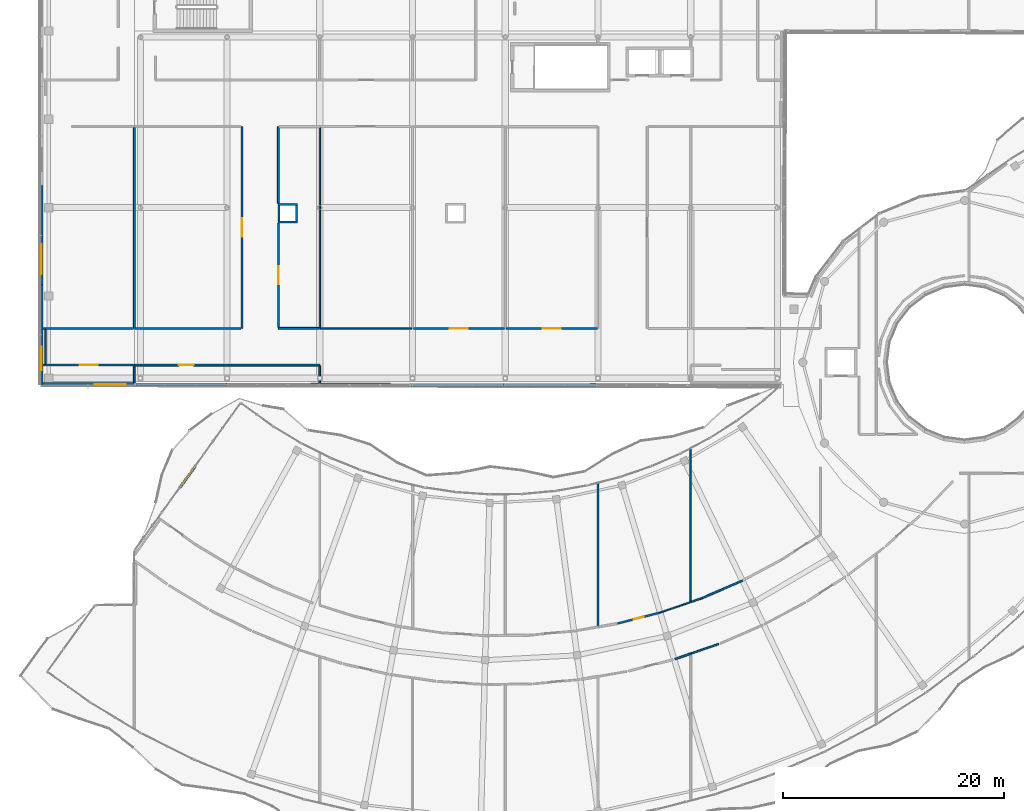
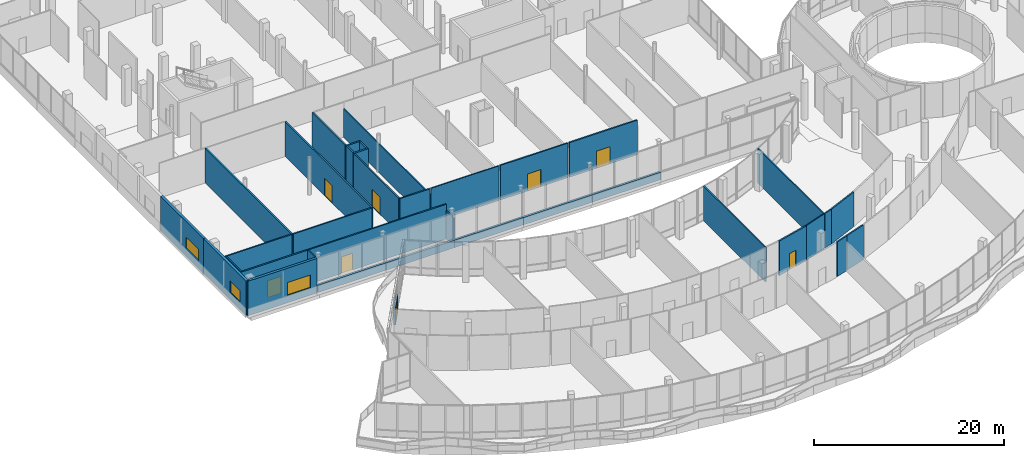
# One storey, part 130 of 155: 37 walls, 8 doors, 3 windows, 11 openings.
"""IFC4 building model written with IfcOpenShell, lengths in metres."""

from ifc_helpers import new_model, si_unit, direction, frame, frame_2d, origin, place, context, subcontext, project, spatial, rectangle, extrude, material, layer, layer_set, type_object, element, fill, save


model = new_model("IFC4")

# Units and contexts
model_context = context("Model", 3, precision=1e-05, world=origin(), true_north=direction((0.0, 1.0)))
body_context = subcontext(model_context, "Body", "Model", "MODEL_VIEW")
ifc_project = project(units=[si_unit("LENGTHUNIT", "METRE"), si_unit("AREAUNIT", "SQUARE_METRE"), si_unit("VOLUMEUNIT", "CUBIC_METRE"), si_unit("PLANEANGLEUNIT", "RADIAN"), si_unit("MASSUNIT", "GRAM", prefix="KILO")], contexts=[model_context])

# Site, building, storey
site_placement = place(None, origin())
site = spatial("IfcSite", under=ifc_project, at=site_placement, CompositionType="ELEMENT")
building_placement = place(site_placement, origin())
building = spatial("IfcBuilding", under=site, at=building_placement, Name="Selatvlak General Hospital", CompositionType="ELEMENT")
storey_placement = place(building_placement, frame((0.0, 0.0, 10.199951171875)))
storey = spatial("IfcBuildingStorey", under=building, at=storey_placement, Name="L02", CompositionType="ELEMENT", Elevation=10.199951171875)

# Wall, opening, window
ifc_material_1 = material(Name="Precast concrete C40/50 - white fair-faced", Category="concrete")
ifc_layer_1 = layer(ifc_material_1, 0.300048828125, Name="Precast concrete C40/50 - white fair-faced", Category="concrete")
ifc_layer_set_1 = layer_set([ifc_layer_1], Name="Precast concrete C40/50 - white fair-faced")
wall_type_1 = type_object("IfcWallType", Name="WALL-EW-01", PredefinedType="SOLIDWALL", material=ifc_layer_set_1)
wall_1_placement = place(storey_placement, frame((14.39990234375, 52.0, 0.0), z_axis=(0.0, 0.0, 1.0), x_axis=(0.0, 1.0, 0.0)))
wall_1 = element("IfcWall", 1, at=wall_1_placement, inside=storey, type_object=wall_type_1, Name="L02 exterior wall 0283", PredefinedType="SOLIDWALL", context=body_context, shape_type="SweptSolid", body=[
    extrude(rectangle(XDim=9.0, YDim=0.300048828125, at=frame_2d((4.5, 0.0))), origin(), (0.0, 0.0, 1.0), 4.4599609375),
])
opening_1_placement = place(wall_1_placement, frame((1.2900390625, 0.0, 0.9599609375)))
opening_1 = element("IfcOpeningElement", 2, at=opening_1_placement, cuts=wall_1, Name="Opening WN-06", PredefinedType="OPENING", context=body_context, shape_type="SweptSolid", body=[
    extrude(rectangle(XDim=2.10009765625, YDim=1.5, at=frame_2d((1.050048828125, 0.75))), frame((0.0, 0.159912109375, 0.0), z_axis=(0.0, -1.0, 0.0), x_axis=(1.0, 0.0, 0.0)), (0.0, 0.0, 1.0), 0.320068359375),
])
ifc_material_2 = material(Name="Thermally broken aluminium Low-E window", Category="aluminium")
window_type_1 = type_object("IfcWindowType", Name="WIN-WN-06", PartitioningType="SINGLE_PANEL", PredefinedType="WINDOW", material=ifc_material_2)
window_1_placement = place(opening_1_placement, origin())
window_1 = element("IfcWindow", 3, at=window_1_placement, inside=storey, type_object=window_type_1, Name="L02 Bauhaus ribbon window 0035", OverallHeight=1.5, OverallWidth=2.10009765625, PartitioningType="SINGLE_PANEL", PredefinedType="WINDOW", context=body_context, shape_type="SweptSolid", body=[
    extrude(rectangle(XDim=2.10009765625, YDim=1.5, at=frame_2d((1.050048828125, 0.75))), frame((0.0, 0.030029296875, 0.0), z_axis=(0.0, -1.0, 0.0), x_axis=(1.0, 0.0, 0.0)), (0.0, 0.0, 1.0), 0.06005859375),
])
fill(opening_1, window_1)

wall_2_placement = place(storey_placement, frame((14.39990234375, 61.0, 0.0), z_axis=(0.0, 0.0, 1.0), x_axis=(0.0, 1.0, 0.0)))
wall_2 = element("IfcWall", 4, at=wall_2_placement, inside=storey, type_object=wall_type_1, Name="L02 exterior wall 0284", PredefinedType="SOLIDWALL", context=body_context, shape_type="SweptSolid", body=[
    extrude(rectangle(XDim=8.9990234375, YDim=0.300048828125, at=frame_2d((4.49951171875, 0.0))), origin(), (0.0, 0.0, 1.0), 4.4599609375),
])
opening_2_placement = place(wall_2_placement, frame((0.989990234375, 0.0, 0.9599609375)))
opening_2 = element("IfcOpeningElement", 5, at=opening_2_placement, cuts=wall_2, Name="Opening WN-08", PredefinedType="OPENING", context=body_context, shape_type="SweptSolid", body=[
    extrude(rectangle(XDim=2.699951171875, YDim=1.5, at=frame_2d((1.35009765625, 0.75))), frame((0.0, 0.159912109375, 0.0), z_axis=(0.0, -1.0, 0.0), x_axis=(1.0, 0.0, 0.0)), (0.0, 0.0, 1.0), 0.320068359375),
])
window_type_2 = type_object("IfcWindowType", Name="WIN-WN-08", PartitioningType="SINGLE_PANEL", PredefinedType="WINDOW", material=ifc_material_2)
window_2_placement = place(opening_2_placement, origin())
window_2 = element("IfcWindow", 6, at=window_2_placement, inside=storey, type_object=window_type_2, Name="L02 Bauhaus ribbon window 0037", OverallHeight=1.5, OverallWidth=2.699951171875, PartitioningType="SINGLE_PANEL", PredefinedType="WINDOW", context=body_context, shape_type="SweptSolid", body=[
    extrude(rectangle(XDim=2.699951171875, YDim=1.5, at=frame_2d((1.35009765625, 0.75))), frame((0.0, 0.030029296875, 0.0), z_axis=(0.0, -1.0, 0.0), x_axis=(1.0, 0.0, 0.0)), (0.0, 0.0, 1.0), 0.06005859375),
])
fill(opening_2, window_2)

wall_3_placement = place(storey_placement, frame((22.80908203125, 52.0, 0.0), z_axis=(0.0, 0.0, 1.0), x_axis=(-1.0, 0.0, 0.0)))
wall_3 = element("IfcWall", 7, at=wall_3_placement, inside=storey, type_object=wall_type_1, Name="L02 exterior wall 0323", PredefinedType="SOLIDWALL", context=body_context, shape_type="SweptSolid", body=[
    extrude(rectangle(XDim=8.4091796875, YDim=0.300048828125, at=frame_2d((4.20458984375, 0.0))), origin(), (0.0, 0.0, 1.0), 4.4599609375),
])
opening_3_placement = place(wall_3_placement, frame((0.785888671875, 0.0, 0.9599609375)))
opening_3 = element("IfcOpeningElement", 8, at=opening_3_placement, cuts=wall_3, Name="Opening WN-14", PredefinedType="OPENING", context=body_context, shape_type="SweptSolid", body=[
    extrude(rectangle(XDim=2.800048828125, YDim=1.64990234375, at=frame_2d((1.39990234375, 0.824951171875))), frame((0.0, 0.159912109375, 0.0), z_axis=(0.0, -1.0, 0.0), x_axis=(1.0, 0.0, 0.0)), (0.0, 0.0, 1.0), 0.320068359375),
])
window_type_3 = type_object("IfcWindowType", Name="WIN-WN-14", PartitioningType="SINGLE_PANEL", PredefinedType="WINDOW", material=ifc_material_2)
window_3_placement = place(opening_3_placement, origin())
window_3 = element("IfcWindow", 9, at=window_3_placement, inside=storey, type_object=window_type_3, Name="L02 Bauhaus ribbon window 0043", OverallHeight=1.64990234375, OverallWidth=2.800048828125, PartitioningType="SINGLE_PANEL", PredefinedType="WINDOW", context=body_context, shape_type="SweptSolid", body=[
    extrude(rectangle(XDim=2.800048828125, YDim=1.64990234375, at=frame_2d((1.39990234375, 0.824951171875))), frame((0.0, 0.030029296875, 0.0), z_axis=(0.0, -1.0, 0.0), x_axis=(1.0, 0.0, 0.0)), (0.0, 0.0, 1.0), 0.06005859375),
])
fill(opening_3, window_3)

# Walls
ifc_material_3 = material(Name="Precast concrete C40/50 - white Bauhaus spandrel", Category="concrete")
ifc_layer_2 = layer(ifc_material_3, 0.280029296875, Name="Precast concrete C40/50 - white Bauhaus spandrel", Category="concrete")
ifc_layer_set_2 = layer_set([ifc_layer_2], Name="Precast concrete C40/50 - white Bauhaus spandrel")
wall_type_2 = type_object("IfcWallType", Name="WALL-EW-02", PredefinedType="SOLIDWALL", material=ifc_layer_set_2)
wall_4_placement = place(storey_placement, frame((64.615966796875, 51.925048828125, 0.0), z_axis=(0.0, 0.0, 1.0), x_axis=(-0.999998412501, 0.001781851468, 0.0)))
element("IfcWall", 10, at=wall_4_placement, inside=storey, type_object=wall_type_2, Name="L02 Bauhaus spandrel sill wall 0318", PredefinedType="SOLIDWALL", context=body_context, shape_type="SweptSolid", body=[
    extrude(rectangle(XDim=8.35791015625, YDim=0.280029296875, at=frame_2d((4.178955078125, 0.0))), origin(), (0.0, 0.0, 1.0), 0.93994140625),
])
wall_5_placement = place(storey_placement, frame((56.25390625, 51.93994140625, 0.0), z_axis=(0.0, 0.0, 1.0), x_axis=(-0.999998359642, 0.001811273687, 0.0)))
element("IfcWall", 11, at=wall_5_placement, inside=storey, type_object=wall_type_2, Name="L02 Bauhaus spandrel sill wall 0319", PredefinedType="SOLIDWALL", context=body_context, shape_type="SweptSolid", body=[
    extrude(rectangle(XDim=8.35693359375, YDim=0.280029296875, at=frame_2d((4.178466796875, 0.0))), origin(), (0.0, 0.0, 1.0), 0.93994140625),
])
wall_6_placement = place(storey_placement, frame((47.89306640625, 51.955078125, 0.0), z_axis=(0.0, 0.0, 1.0), x_axis=(-0.999998412594, 0.001781799421, 0.0)))
element("IfcWall", 12, at=wall_6_placement, inside=storey, type_object=wall_type_2, Name="L02 Bauhaus spandrel sill wall 0320", PredefinedType="SOLIDWALL", context=body_context, shape_type="SweptSolid", body=[
    extrude(rectangle(XDim=8.358154296875, YDim=0.280029296875, at=frame_2d((4.17919921875, 0.0))), origin(), (0.0, 0.0, 1.0), 0.93994140625),
])
wall_7_placement = place(storey_placement, frame((39.531005859375, 51.969970703125, 0.0), z_axis=(0.0, 0.0, 1.0), x_axis=(-0.999998360026, 0.001811062053, 0.0)))
element("IfcWall", 13, at=wall_7_placement, inside=storey, type_object=wall_type_2, Name="L02 Bauhaus spandrel sill wall 0321", PredefinedType="SOLIDWALL", context=body_context, shape_type="SweptSolid", body=[
    extrude(rectangle(XDim=8.35791015625, YDim=0.280029296875, at=frame_2d((4.178955078125, 0.0))), origin(), (0.0, 0.0, 1.0), 0.93994140625),
])
wall_8_placement = place(storey_placement, frame((31.1689453125, 51.985107421875, 0.0), z_axis=(0.0, 0.0, 1.0), x_axis=(-0.999998358775, 0.001811752647, 0.0)))
element("IfcWall", 14, at=wall_8_placement, inside=storey, type_object=wall_type_2, Name="L02 Bauhaus spandrel sill wall 0322", PredefinedType="SOLIDWALL", context=body_context, shape_type="SweptSolid", body=[
    extrude(rectangle(XDim=8.219970703125, YDim=0.280029296875, at=frame_2d((4.10986328125, 0.0))), origin(), (0.0, 0.0, 1.0), 0.93994140625),
])

# Wall, opening, door
ifc_layer_3 = layer(ifc_material_1, 0.239990234375, Name="Precast concrete C40/50 - white fair-faced", Category="concrete")
ifc_layer_set_3 = layer_set([ifc_layer_3], Name="Precast concrete C40/50 - white fair-faced")
wall_type_3 = type_object("IfcWallType", Name="WALL-EW-04", PredefinedType="SOLIDWALL", material=ifc_layer_set_3)
wall_9_placement = place(storey_placement, frame((26.947021484375, 42.672119140625, 0.0), z_axis=(0.0, 0.0, 1.0), x_axis=(0.583485123331, 0.812123827289, 0.0)))
wall_9 = element("IfcWall", 15, at=wall_9_placement, inside=storey, type_object=wall_type_3, Name="L02 S-curve glazed balcony door frame 0315", PredefinedType="SOLIDWALL", context=body_context, shape_type="SweptSolid", body=[
    extrude(rectangle(XDim=2.300048828125, YDim=0.239990234375, at=frame_2d((1.14990234375, 0.0))), origin(), (0.0, 0.0, 1.0), 2.320068359375),
])
opening_4_placement = place(wall_9_placement, frame((0.35009765625, 0.0, 0.0)))
opening_4 = element("IfcOpeningElement", 16, at=opening_4_placement, cuts=wall_9, Name="Opening DE-05", PredefinedType="OPENING", context=body_context, shape_type="SweptSolid", body=[
    extrude(rectangle(XDim=1.60009765625, YDim=2.199951171875, at=frame_2d((0.800048828125, 1.10009765625))), frame((0.0, 0.1298828125, 0.0), z_axis=(0.0, -1.0, 0.0), x_axis=(1.0, 0.0, 0.0)), (0.0, 0.0, 1.0), 0.260009765625),
])
ifc_material_4 = material(Name="Anodised aluminium balcony double door", Category="aluminium")
door_type_1 = type_object("IfcDoorType", Name="DOOR-DE-05", OperationType="DOUBLE_DOOR_SINGLE_SWING", PredefinedType="DOOR", material=ifc_material_4)
door_1_placement = place(opening_4_placement, origin())
door_1 = element("IfcDoor", 17, at=door_1_placement, inside=storey, type_object=door_type_1, Name="L02 clinic balcony double door 25", OperationType="DOUBLE_DOOR_SINGLE_SWING", OverallHeight=2.199951171875, OverallWidth=1.60009765625, PredefinedType="DOOR", context=body_context, shape_type="SweptSolid", body=[
    extrude(rectangle(XDim=1.60009765625, YDim=2.199951171875, at=frame_2d((0.800048828125, 1.10009765625))), frame((0.0, 0.02490234375, 0.0), z_axis=(0.0, -1.0, 0.0), x_axis=(1.0, 0.0, 0.0)), (0.0, 0.0, 1.0), 0.050048828125),
])
fill(opening_4, door_1)

# Walls
ifc_material_5 = material(Name="Concrete C40/50", Category="concrete")
ifc_layer_4 = layer(ifc_material_5, 0.199951171875, Name="Concrete C40/50", Category="concrete")
ifc_layer_set_4 = layer_set([ifc_layer_4], Name="Concrete C40/50")
wall_type_4 = type_object("IfcWallType", Name="WALL-IW-02", PredefinedType="SOLIDWALL", material=ifc_layer_set_4)
wall_10_placement = place(storey_placement, frame((35.800048828125, 66.699951171875, 0.0), z_axis=(0.0, 0.0, 1.0), x_axis=(1.0, 0.0, 0.0)))
element("IfcWall", 18, at=wall_10_placement, inside=storey, type_object=wall_type_4, Name="Service riser 5 shaft wall L02 S", PredefinedType="SOLIDWALL", context=body_context, shape_type="SweptSolid", body=[
    extrude(rectangle(XDim=1.800048828125, YDim=0.199951171875, at=frame_2d((0.89990234375, 0.0))), origin(), (0.0, 0.0, 1.0), 4.4599609375),
])
wall_11_placement = place(storey_placement, frame((37.5, 66.800048828125, 0.0), z_axis=(0.0, 0.0, 1.0), x_axis=(0.0, 1.0, 0.0)))
element("IfcWall", 19, at=wall_11_placement, inside=storey, type_object=wall_type_4, Name="Service riser 5 shaft wall L02 E", PredefinedType="SOLIDWALL", context=body_context, shape_type="SweptSolid", body=[
    extrude(rectangle(XDim=1.39990234375, YDim=0.199951171875, at=frame_2d((0.699951171875, 0.0))), origin(), (0.0, 0.0, 1.0), 4.4599609375),
])
wall_12_placement = place(storey_placement, frame((37.60009765625, 68.300048828125, 0.0), z_axis=(0.0, 0.0, 1.0), x_axis=(-1.0, 0.0, 0.0)))
element("IfcWall", 20, at=wall_12_placement, inside=storey, type_object=wall_type_4, Name="Service riser 5 shaft wall L02 N", PredefinedType="SOLIDWALL", context=body_context, shape_type="SweptSolid", body=[
    extrude(rectangle(XDim=1.800048828125, YDim=0.199951171875, at=frame_2d((0.89990234375, 0.0))), origin(), (0.0, 0.0, 1.0), 4.4599609375),
])
wall_13_placement = place(storey_placement, frame((35.89990234375, 68.199951171875, 0.0), z_axis=(0.0, 0.0, 1.0), x_axis=(0.0, -1.0, 0.0)))
element("IfcWall", 21, at=wall_13_placement, inside=storey, type_object=wall_type_4, Name="Service riser 5 shaft wall L02 W", PredefinedType="SOLIDWALL", context=body_context, shape_type="SweptSolid", body=[
    extrude(rectangle(XDim=1.39990234375, YDim=0.199951171875, at=frame_2d((0.699951171875, 0.0))), origin(), (0.0, 0.0, 1.0), 4.4599609375),
])
ifc_material_6 = material(Name="Acoustic gypsum stud partition")
ifc_layer_5 = layer(ifc_material_6, 0.179931640625, Name="Acoustic gypsum stud partition")
ifc_layer_set_5 = layer_set([ifc_layer_5], Name="Acoustic gypsum stud partition")
wall_type_5 = type_object("IfcWallType", Name="WALL-PT-01", PredefinedType="PARTITIONING", material=ifc_layer_set_5)
wall_14_placement = place(storey_placement, frame((22.800048828125, 75.27587890625, 0.0), z_axis=(0.0, 0.0, 1.0), x_axis=(0.0, -1.0, 0.0)))
element("IfcWall", 22, at=wall_14_placement, inside=storey, type_object=wall_type_5, Name="L02 clinical partition PT-L02-1047", PredefinedType="PARTITIONING", context=body_context, shape_type="SweptSolid", body=[
    extrude(rectangle(XDim=18.2158203125, YDim=0.179931640625, at=frame_2d((9.10791015625, 0.0))), origin(), (0.0, 0.0, 1.0), 4.4599609375),
])

# Wall, opening, door
wall_15_placement = place(storey_placement, frame((14.547119140625, 53.739990234375, 0.0), z_axis=(0.0, 0.0, 1.0), x_axis=(1.0, 0.0, 0.0)))
wall_15 = element("IfcWall", 23, at=wall_15_placement, inside=storey, type_object=wall_type_5, Name="L02 clinical partition PT-L02-1050", PredefinedType="PARTITIONING", context=body_context, shape_type="SweptSolid", body=[
    extrude(rectangle(XDim=8.2529296875, YDim=0.179931640625, at=frame_2d((4.12646484375, 0.0))), origin(), (0.0, 0.0, 1.0), 4.4599609375),
])
opening_5_placement = place(wall_15_placement, frame((3.301025390625, 0.0, 0.0)))
opening_5 = element("IfcOpeningElement", 24, at=opening_5_placement, cuts=wall_15, Name="Opening D-19", PredefinedType="OPENING", context=body_context, shape_type="SweptSolid", body=[
    extrude(rectangle(XDim=1.64990234375, YDim=2.199951171875, at=frame_2d((0.824951171875, 1.10009765625))), frame((0.0, 0.099853515625, 0.0), z_axis=(0.0, -1.0, 0.0), x_axis=(1.0, 0.0, 0.0)), (0.0, 0.0, 1.0), 0.199951171875),
])
ifc_material_7 = material(Name="Hermetic operating theatre sliding door")
door_type_2 = type_object("IfcDoorType", Name="DOOR-D-19", OperationType="DOUBLE_DOOR_SLIDING", PredefinedType="DOOR", material=ifc_material_7)
door_2_placement = place(opening_5_placement, origin())
door_2 = element("IfcDoor", 25, at=door_2_placement, inside=storey, type_object=door_type_2, Name="L02 Operating Theatre 01 door", OperationType="DOUBLE_DOOR_SLIDING", OverallHeight=2.199951171875, OverallWidth=1.64990234375, PredefinedType="DOOR", context=body_context, shape_type="SweptSolid", body=[
    extrude(rectangle(XDim=1.64990234375, YDim=2.199951171875, at=frame_2d((0.824951171875, 1.10009765625))), frame((0.0, 0.02490234375, 0.0), z_axis=(0.0, -1.0, 0.0), x_axis=(1.0, 0.0, 0.0)), (0.0, 0.0, 1.0), 0.050048828125),
])
fill(opening_5, door_2)

wall_16_placement = place(storey_placement, frame((32.5400390625, 75.340087890625, 0.0), z_axis=(0.0, 0.0, 1.0), x_axis=(0.0, -1.0, 0.0)))
wall_16 = element("IfcWall", 26, at=wall_16_placement, inside=storey, type_object=wall_type_5, Name="L02 clinical partition PT-L02-1068", PredefinedType="PARTITIONING", context=body_context, shape_type="SweptSolid", body=[
    extrude(rectangle(XDim=18.280029296875, YDim=0.179931640625, at=frame_2d((9.14013671875, 0.0))), origin(), (0.0, 0.0, 1.0), 4.4599609375),
])
opening_6_placement = place(wall_16_placement, frame((8.31494140625, 0.0, 0.0)))
opening_6 = element("IfcOpeningElement", 27, at=opening_6_placement, cuts=wall_16, Name="Opening D-19", PredefinedType="OPENING", context=body_context, shape_type="SweptSolid", body=[
    extrude(rectangle(XDim=1.64990234375, YDim=2.199951171875, at=frame_2d((0.824951171875, 1.10009765625))), frame((0.0, 0.099853515625, 0.0), z_axis=(0.0, -1.0, 0.0), x_axis=(1.0, 0.0, 0.0)), (0.0, 0.0, 1.0), 0.199951171875),
])
door_3_placement = place(opening_6_placement, origin())
door_3 = element("IfcDoor", 28, at=door_3_placement, inside=storey, type_object=door_type_2, Name="L02 Operating Theatre 04 door", OperationType="DOUBLE_DOOR_SLIDING", OverallHeight=2.199951171875, OverallWidth=1.64990234375, PredefinedType="DOOR", context=body_context, shape_type="SweptSolid", body=[
    extrude(rectangle(XDim=1.64990234375, YDim=2.199951171875, at=frame_2d((0.824951171875, 1.10009765625))), frame((0.0, 0.02490234375, 0.0), z_axis=(0.0, -1.0, 0.0), x_axis=(1.0, 0.0, 0.0)), (0.0, 0.0, 1.0), 0.050048828125),
])
fill(opening_6, door_3)

# Walls
wall_17_placement = place(storey_placement, frame((35.860107421875, 68.39697265625, 0.0), z_axis=(0.0, 0.0, 1.0), x_axis=(0.0, 1.0, 0.0)))
element("IfcWall", 29, at=wall_17_placement, inside=storey, type_object=wall_type_5, Name="L02 clinical partition PT-L02-1071", PredefinedType="PARTITIONING", context=body_context, shape_type="SweptSolid", body=[
    extrude(rectangle(XDim=6.943115234375, YDim=0.179931640625, at=frame_2d((3.4716796875, 0.0))), origin(), (0.0, 0.0, 1.0), 4.4599609375),
])
wall_18_placement = place(storey_placement, frame((39.537109375, 57.06005859375, 0.0), z_axis=(0.0, 0.0, 1.0), x_axis=(-1.0, 0.0, 0.0)))
element("IfcWall", 30, at=wall_18_placement, inside=storey, type_object=wall_type_5, Name="L02 clinical partition PT-L02-1074", PredefinedType="PARTITIONING", context=body_context, shape_type="SweptSolid", body=[
    extrude(rectangle(XDim=3.677001953125, YDim=0.179931640625, at=frame_2d((1.83837890625, 0.0))), origin(), (0.0, 0.0, 1.0), 4.4599609375),
])

# Wall, opening, door
wall_19_placement = place(storey_placement, frame((64.736083984375, 57.06005859375, 0.0), z_axis=(0.0, 0.0, 1.0), x_axis=(-1.0, 0.0, 0.0)))
wall_19 = element("IfcWall", 31, at=wall_19_placement, inside=storey, type_object=wall_type_5, Name="L02 clinical partition PT-L02-1107", PredefinedType="PARTITIONING", context=body_context, shape_type="SweptSolid", body=[
    extrude(rectangle(XDim=8.25, YDim=0.179931640625, at=frame_2d((4.125, 0.0))), origin(), (0.0, 0.0, 1.0), 4.4599609375),
])
opening_7_placement = place(wall_19_placement, frame((3.300048828125, 0.0, 0.0)))
opening_7 = element("IfcOpeningElement", 32, at=opening_7_placement, cuts=wall_19, Name="Opening D-19", PredefinedType="OPENING", context=body_context, shape_type="SweptSolid", body=[
    extrude(rectangle(XDim=1.64990234375, YDim=2.199951171875, at=frame_2d((0.824951171875, 1.10009765625))), frame((0.0, 0.099853515625, 0.0), z_axis=(0.0, -1.0, 0.0), x_axis=(1.0, 0.0, 0.0)), (0.0, 0.0, 1.0), 0.199951171875),
])
door_4_placement = place(opening_7_placement, origin())
door_4 = element("IfcDoor", 33, at=door_4_placement, inside=storey, type_object=door_type_2, Name="L02 Operating Theatre 14 door", OperationType="DOUBLE_DOOR_SLIDING", OverallHeight=2.199951171875, OverallWidth=1.64990234375, PredefinedType="DOOR", context=body_context, shape_type="SweptSolid", body=[
    extrude(rectangle(XDim=1.64990234375, YDim=2.199951171875, at=frame_2d((0.824951171875, 1.10009765625))), frame((0.0, 0.02490234375, 0.0), z_axis=(0.0, -1.0, 0.0), x_axis=(1.0, 0.0, 0.0)), (0.0, 0.0, 1.0), 0.050048828125),
])
fill(opening_7, door_4)

wall_20_placement = place(storey_placement, frame((70.43310546875, 31.327880859375, 0.0), z_axis=(0.0, 0.0, 1.0), x_axis=(-0.968571543656, -0.248735129846, 0.0)))
wall_20 = element("IfcWall", 34, at=wall_20_placement, inside=storey, type_object=wall_type_5, Name="L02 clinical partition PT-L02-1115", PredefinedType="PARTITIONING", context=body_context, shape_type="SweptSolid", body=[
    extrude(rectangle(XDim=3.999755859375, YDim=0.179931640625, at=frame_2d((2.0, 0.0))), origin(), (0.0, 0.0, 1.0), 4.4599609375),
])
opening_8_placement = place(wall_20_placement, frame((1.52490234375, 0.0, 0.0)))
opening_8 = element("IfcOpeningElement", 35, at=opening_8_placement, cuts=wall_20, Name="Opening D-02", PredefinedType="OPENING", context=body_context, shape_type="SweptSolid", body=[
    extrude(rectangle(XDim=0.949951171875, YDim=2.10009765625, at=frame_2d((0.47509765625, 1.050048828125))), frame((0.0, 0.099853515625, 0.0), z_axis=(0.0, -1.0, 0.0), x_axis=(1.0, 0.0, 0.0)), (0.0, 0.0, 1.0), 0.199951171875),
])
ifc_material_8 = material(Name="Moisture-resistant en-suite door")
door_type_3 = type_object("IfcDoorType", Name="DOOR-D-02", OperationType="NOTDEFINED", PredefinedType="DOOR", material=ifc_material_8)
door_5_placement = place(opening_8_placement, origin())
door_5 = element("IfcDoor", 36, at=door_5_placement, inside=storey, type_object=door_type_3, Name="L02 Physiotherapy Rehabilitation Gymnasium 16 door", OperationType="SINGLE_SWING_RIGHT", OverallHeight=2.10009765625, OverallWidth=0.949951171875, PredefinedType="DOOR", context=body_context, shape_type="SweptSolid", body=[
    extrude(rectangle(XDim=0.949951171875, YDim=2.10009765625, at=frame_2d((0.47509765625, 1.050048828125))), frame((0.0, 0.02490234375, 0.0), z_axis=(0.0, -1.0, 0.0), x_axis=(1.0, 0.0, 0.0)), (0.0, 0.0, 1.0), 0.050048828125),
])
fill(opening_8, door_5)

# Walls
ifc_layer_6 = layer(ifc_material_6, 0.1650390625, Name="Acoustic gypsum stud partition")
ifc_layer_set_6 = layer_set([ifc_layer_6], Name="Acoustic gypsum stud partition")
wall_type_6 = type_object("IfcWallType", Name="WALL-PT-02", PredefinedType="PARTITIONING", material=ifc_layer_set_6)
wall_21_placement = place(storey_placement, frame((22.714111328125, 57.06005859375, 0.0), z_axis=(0.0, 0.0, 1.0), x_axis=(-1.0, 0.0, 0.0)))
element("IfcWall", 37, at=wall_21_placement, inside=storey, type_object=wall_type_6, Name="L02 clinical partition PT-L02-1048", PredefinedType="PARTITIONING", context=body_context, shape_type="SweptSolid", body=[
    extrude(rectangle(XDim=8.1669921875, YDim=0.1650390625, at=frame_2d((4.08349609375, 0.0))), origin(), (0.0, 0.0, 1.0), 4.4599609375),
])
wall_22_placement = place(storey_placement, frame((22.800048828125, 53.654052734375, 0.0), z_axis=(0.0, 0.0, 1.0), x_axis=(0.0, -1.0, 0.0)))
element("IfcWall", 38, at=wall_22_placement, inside=storey, type_object=wall_type_6, Name="L02 clinical partition PT-L02-1051", PredefinedType="PARTITIONING", context=body_context, shape_type="SweptSolid", body=[
    extrude(rectangle(XDim=1.507080078125, YDim=0.1650390625, at=frame_2d((0.75341796875, 0.0))), origin(), (0.0, 0.0, 1.0), 4.4599609375),
])

# Wall, opening, door
wall_23_placement = place(storey_placement, frame((22.800048828125, 53.739990234375, 0.0), z_axis=(0.0, 0.0, 1.0), x_axis=(1.0, 0.0, 0.0)))
wall_23 = element("IfcWall", 39, at=wall_23_placement, inside=storey, type_object=wall_type_6, Name="L02 clinical partition PT-L02-1066", PredefinedType="PARTITIONING", context=body_context, shape_type="SweptSolid", body=[
    extrude(rectangle(XDim=16.800048828125, YDim=0.1650390625, at=frame_2d((8.39990234375, 0.0))), origin(), (0.0, 0.0, 1.0), 4.4599609375),
])
opening_9_placement = place(wall_23_placement, frame((4.029052734375, 0.0, 0.0)))
opening_9 = element("IfcOpeningElement", 40, at=opening_9_placement, cuts=wall_23, Name="Opening D-10", PredefinedType="OPENING", context=body_context, shape_type="SweptSolid", body=[
    extrude(rectangle(XDim=1.35009765625, YDim=2.14990234375, at=frame_2d((0.675048828125, 1.074951171875))), frame((0.0, 0.092529296875, 0.0), z_axis=(0.0, -1.0, 0.0), x_axis=(1.0, 0.0, 0.0)), (0.0, 0.0, 1.0), 0.18505859375),
])
ifc_material_9 = material(Name="Single patient bed door")
door_type_4 = type_object("IfcDoorType", Name="DOOR-D-10", OperationType="NOTDEFINED", PredefinedType="DOOR", material=ifc_material_9)
door_6_placement = place(opening_9_placement, origin())
door_6 = element("IfcDoor", 41, at=door_6_placement, inside=storey, type_object=door_type_4, Name="L02 Post-Anaesthesia Recovery Suite 03 door", OperationType="SINGLE_SWING_RIGHT", OverallHeight=2.14990234375, OverallWidth=1.35009765625, PredefinedType="DOOR", context=body_context, shape_type="SweptSolid", body=[
    extrude(rectangle(XDim=1.35009765625, YDim=2.14990234375, at=frame_2d((0.675048828125, 1.074951171875))), frame((0.0, 0.02490234375, 0.0), z_axis=(0.0, -1.0, 0.0), x_axis=(1.0, 0.0, 0.0)), (0.0, 0.0, 1.0), 0.050048828125),
])
fill(opening_9, door_6)

# Wall
wall_24_placement = place(storey_placement, frame((32.4541015625, 57.06005859375, 0.0), z_axis=(0.0, 0.0, 1.0), x_axis=(-1.0, 0.0, 0.0)))
element("IfcWall", 42, at=wall_24_placement, inside=storey, type_object=wall_type_6, Name="L02 clinical partition PT-L02-1069", PredefinedType="PARTITIONING", context=body_context, shape_type="SweptSolid", body=[
    extrude(rectangle(XDim=9.568115234375, YDim=0.1650390625, at=frame_2d((4.7841796875, 0.0))), origin(), (0.0, 0.0, 1.0), 4.4599609375),
])

# Wall, opening, door
wall_25_placement = place(storey_placement, frame((35.860107421875, 57.14599609375, 0.0), z_axis=(0.0, 0.0, 1.0), x_axis=(0.0, 1.0, 0.0)))
wall_25 = element("IfcWall", 43, at=wall_25_placement, inside=storey, type_object=wall_type_6, Name="L02 clinical partition PT-L02-1075", PredefinedType="PARTITIONING", context=body_context, shape_type="SweptSolid", body=[
    extrude(rectangle(XDim=9.45703125, YDim=0.1650390625, at=frame_2d((4.728515625, 0.0))), origin(), (0.0, 0.0, 1.0), 4.4599609375),
])
opening_10_placement = place(wall_25_placement, frame((3.903076171875, 0.0, 0.0)))
opening_10 = element("IfcOpeningElement", 44, at=opening_10_placement, cuts=wall_25, Name="Opening D-19", PredefinedType="OPENING", context=body_context, shape_type="SweptSolid", body=[
    extrude(rectangle(XDim=1.64990234375, YDim=2.199951171875, at=frame_2d((0.824951171875, 1.10009765625))), frame((0.0, 0.092529296875, 0.0), z_axis=(0.0, -1.0, 0.0), x_axis=(1.0, 0.0, 0.0)), (0.0, 0.0, 1.0), 0.18505859375),
])
door_7_placement = place(opening_10_placement, origin())
door_7 = element("IfcDoor", 45, at=door_7_placement, inside=storey, type_object=door_type_2, Name="L02 Operating Theatre 05 door", OperationType="DOUBLE_DOOR_SLIDING", OverallHeight=2.199951171875, OverallWidth=1.64990234375, PredefinedType="DOOR", context=body_context, shape_type="SweptSolid", body=[
    extrude(rectangle(XDim=1.64990234375, YDim=2.199951171875, at=frame_2d((0.824951171875, 1.10009765625))), frame((0.0, 0.02490234375, 0.0), z_axis=(0.0, -1.0, 0.0), x_axis=(1.0, 0.0, 0.0)), (0.0, 0.0, 1.0), 0.050048828125),
])
fill(opening_10, door_7)

wall_26_placement = place(storey_placement, frame((56.31396484375, 57.06005859375, 0.0), z_axis=(0.0, 0.0, 1.0), x_axis=(-1.0, 0.0, 0.0)))
wall_26 = element("IfcWall", 46, at=wall_26_placement, inside=storey, type_object=wall_type_6, Name="L02 clinical partition PT-L02-1096", PredefinedType="PARTITIONING", context=body_context, shape_type="SweptSolid", body=[
    extrude(rectangle(XDim=8.236083984375, YDim=0.1650390625, at=frame_2d((4.1181640625, 0.0))), origin(), (0.0, 0.0, 1.0), 4.4599609375),
])
opening_11_placement = place(wall_26_placement, frame((3.29296875, 0.0, 0.0)))
opening_11 = element("IfcOpeningElement", 47, at=opening_11_placement, cuts=wall_26, Name="Opening D-19", PredefinedType="OPENING", context=body_context, shape_type="SweptSolid", body=[
    extrude(rectangle(XDim=1.64990234375, YDim=2.199951171875, at=frame_2d((0.824951171875, 1.10009765625))), frame((0.0, 0.092529296875, 0.0), z_axis=(0.0, -1.0, 0.0), x_axis=(1.0, 0.0, 0.0)), (0.0, 0.0, 1.0), 0.18505859375),
])
door_8_placement = place(opening_11_placement, origin())
door_8 = element("IfcDoor", 48, at=door_8_placement, inside=storey, type_object=door_type_2, Name="L02 Operating Theatre 11 door", OperationType="DOUBLE_DOOR_SLIDING", OverallHeight=2.199951171875, OverallWidth=1.64990234375, PredefinedType="DOOR", context=body_context, shape_type="SweptSolid", body=[
    extrude(rectangle(XDim=1.64990234375, YDim=2.199951171875, at=frame_2d((0.824951171875, 1.10009765625))), frame((0.0, 0.02490234375, 0.0), z_axis=(0.0, -1.0, 0.0), x_axis=(1.0, 0.0, 0.0)), (0.0, 0.0, 1.0), 0.050048828125),
])
fill(opening_11, door_8)

# Walls
wall_27_placement = place(storey_placement, frame((71.783935546875, 27.118896484375, 0.0), z_axis=(0.0, 0.0, 1.0), x_axis=(0.945824378739, 0.324678678978, 0.0)))
element("IfcWall", 49, at=wall_27_placement, inside=storey, type_object=wall_type_6, Name="L02 clinical partition PT-L02-1111", PredefinedType="PARTITIONING", context=body_context, shape_type="SweptSolid", body=[
    extrude(rectangle(XDim=1.4970703125, YDim=0.1650390625, at=frame_2d((0.74853515625, 0.0))), origin(), (0.0, 0.0, 1.0), 4.4599609375),
])
wall_28_placement = place(storey_placement, frame((77.87890625, 34.220947265625, 0.0), z_axis=(0.0, 0.0, 1.0), x_axis=(-0.916925298724, -0.399058888586, 0.0)))
element("IfcWall", 50, at=wall_28_placement, inside=storey, type_object=wall_type_6, Name="L02 clinical partition PT-L02-1136", PredefinedType="PARTITIONING", context=body_context, shape_type="SweptSolid", body=[
    extrude(rectangle(XDim=3.996826171875, YDim=0.1650390625, at=frame_2d((1.99853515625, 0.0))), origin(), (0.0, 0.0, 1.0), 4.4599609375),
])
ifc_layer_7 = layer(ifc_material_6, 0.14990234375, Name="Acoustic gypsum stud partition")
ifc_layer_set_7 = layer_set([ifc_layer_7], Name="Acoustic gypsum stud partition")
wall_type_7 = type_object("IfcWallType", Name="WALL-PT-03", PredefinedType="PARTITIONING", material=ifc_layer_set_7)
wall_29_placement = place(storey_placement, frame((39.60009765625, 53.662109375, 0.0), z_axis=(0.0, 0.0, 1.0), x_axis=(0.0, -1.0, 0.0)))
element("IfcWall", 51, at=wall_29_placement, inside=storey, type_object=wall_type_7, Name="L02 clinical partition PT-L02-1067", PredefinedType="PARTITIONING", context=body_context, shape_type="SweptSolid", body=[
    extrude(rectangle(XDim=1.650146484375, YDim=0.14990234375, at=frame_2d((0.8251953125, 0.0))), origin(), (0.0, 0.0, 1.0), 3.6650390625),
])
wall_30_placement = place(storey_placement, frame((64.800048828125, 43.06298828125, 0.0), z_axis=(0.0, 0.0, 1.0), x_axis=(0.0, -1.0, 0.0)))
element("IfcWall", 52, at=wall_30_placement, inside=storey, type_object=wall_type_7, Name="L02 clinical partition PT-L02-1102", PredefinedType="PARTITIONING", context=body_context, shape_type="SweptSolid", body=[
    extrude(rectangle(XDim=13.034912109375, YDim=0.14990234375, at=frame_2d((6.517578125, 0.0))), origin(), (0.0, 0.0, 1.0), 4.4599609375),
])
wall_31_placement = place(storey_placement, frame((73.199951171875, 27.60498046875, 0.0), z_axis=(0.0, 0.0, 1.0), x_axis=(0.945827570445, 0.324669381042, 0.0)))
element("IfcWall", 53, at=wall_31_placement, inside=storey, type_object=wall_type_7, Name="L02 clinical partition PT-L02-1122", PredefinedType="PARTITIONING", context=body_context, shape_type="SweptSolid", body=[
    extrude(rectangle(XDim=2.677001953125, YDim=0.14990234375, at=frame_2d((1.33837890625, 0.0))), origin(), (0.0, 0.0, 1.0), 4.4599609375),
])
wall_32_placement = place(storey_placement, frame((74.214111328125, 32.6259765625, 0.0), z_axis=(0.0, 0.0, 1.0), x_axis=(-0.945901199619, -0.324454805111, 0.0)))
element("IfcWall", 54, at=wall_32_placement, inside=storey, type_object=wall_type_7, Name="L02 clinical partition PT-L02-1137", PredefinedType="PARTITIONING", context=body_context, shape_type="SweptSolid", body=[
    extrude(rectangle(XDim=1.004638671875, YDim=0.14990234375, at=frame_2d((0.50244140625, 0.0))), origin(), (0.0, 0.0, 1.0), 4.4599609375),
])
ifc_material_10 = material(Name="Moisture-resistant clinical partition")
ifc_layer_8 = layer(ifc_material_10, 0.135009765625, Name="Moisture-resistant clinical partition")
ifc_layer_set_8 = layer_set([ifc_layer_8], Name="Moisture-resistant clinical partition")
wall_type_8 = type_object("IfcWallType", Name="WALL-PT-04", PredefinedType="PARTITIONING", material=ifc_layer_set_8)
wall_33_placement = place(storey_placement, frame((14.739990234375, 56.98193359375, 0.0), z_axis=(0.0, 0.0, 1.0), x_axis=(0.0, -1.0, 0.0)))
element("IfcWall", 55, at=wall_33_placement, inside=storey, type_object=wall_type_8, Name="L02 clinical partition PT-L02-1049", PredefinedType="PARTITIONING", context=body_context, shape_type="SweptSolid", body=[
    extrude(rectangle(XDim=3.181884765625, YDim=0.135009765625, at=frame_2d((1.5908203125, 0.0))), origin(), (0.0, 0.0, 1.0), 4.4599609375),
])
wall_34_placement = place(storey_placement, frame((39.60009765625, 75.260986328125, 0.0), z_axis=(0.0, 0.0, 1.0), x_axis=(0.0, -1.0, 0.0)))
element("IfcWall", 56, at=wall_34_placement, inside=storey, type_object=wall_type_8, Name="L02 clinical partition PT-L02-1073", PredefinedType="PARTITIONING", context=body_context, shape_type="SweptSolid", body=[
    extrude(rectangle(XDim=18.200927734375, YDim=0.135009765625, at=frame_2d((9.1005859375, 0.0))), origin(), (0.0, 0.0, 1.0), 3.6650390625),
])
wall_35_placement = place(storey_placement, frame((47.922119140625, 57.06005859375, 0.0), z_axis=(0.0, 0.0, 1.0), x_axis=(-1.0, 0.0, 0.0)))
element("IfcWall", 57, at=wall_35_placement, inside=storey, type_object=wall_type_8, Name="L02 clinical partition PT-L02-1085", PredefinedType="PARTITIONING", context=body_context, shape_type="SweptSolid", body=[
    extrude(rectangle(XDim=8.259033203125, YDim=0.135009765625, at=frame_2d((4.12939453125, 0.0))), origin(), (0.0, 0.0, 1.0), 4.4599609375),
])
wall_36_placement = place(storey_placement, frame((73.199951171875, 46.195068359375, 0.0), z_axis=(0.0, 0.0, 1.0), x_axis=(0.0, -1.0, 0.0)))
element("IfcWall", 58, at=wall_36_placement, inside=storey, type_object=wall_type_8, Name="L02 clinical partition PT-L02-1113", PredefinedType="PARTITIONING", context=body_context, shape_type="SweptSolid", body=[
    extrude(rectangle(XDim=13.9169921875, YDim=0.135009765625, at=frame_2d((6.95849609375, 0.0))), origin(), (0.0, 0.0, 1.0), 4.4599609375),
])
ifc_layer_9 = layer(ifc_material_10, 0.1201171875, Name="Moisture-resistant clinical partition")
ifc_layer_set_9 = layer_set([ifc_layer_9], Name="Moisture-resistant clinical partition")
wall_type_9 = type_object("IfcWallType", Name="WALL-PT-05", PredefinedType="PARTITIONING", material=ifc_layer_set_9)
wall_37_placement = place(storey_placement, frame((73.199951171875, 32.278076171875, 0.0), z_axis=(0.0, 0.0, 1.0), x_axis=(-0.94578196559, -0.324802206836, 0.0)))
element("IfcWall", 59, at=wall_37_placement, inside=storey, type_object=wall_type_9, Name="L02 clinical partition PT-L02-1114", PredefinedType="PARTITIONING", context=body_context, shape_type="SweptSolid", body=[
    extrude(rectangle(XDim=2.925537109375, YDim=0.1201171875, at=frame_2d((1.462890625, 0.0))), origin(), (0.0, 0.0, 1.0), 4.4599609375),
])

save(model, "model.ifc")
